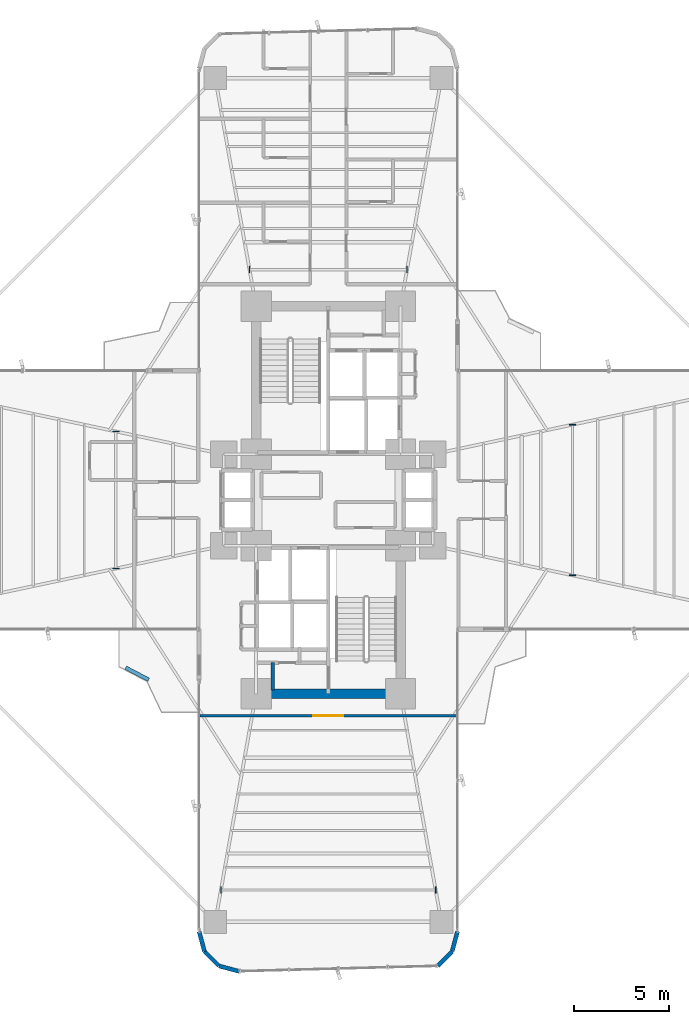
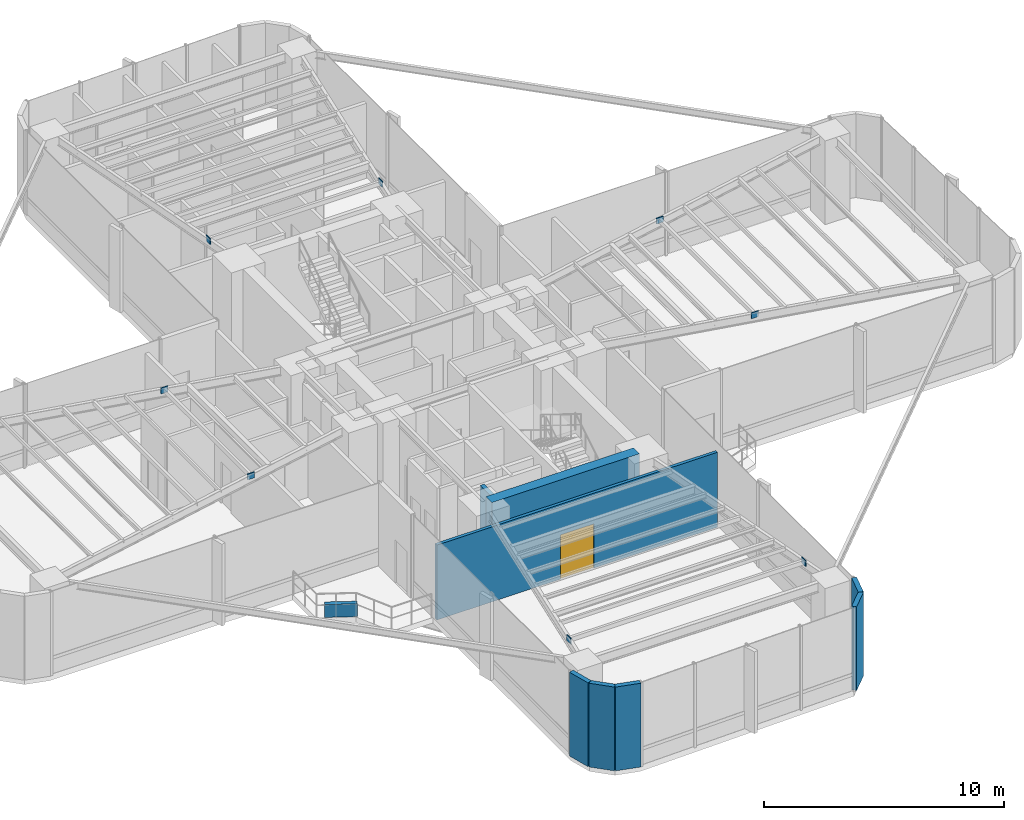
# One storey, part 15 of 20: 9 walls, 8 plates, 1 door, 1 opening.
"""IFC4 building model written with IfcOpenShell, lengths in metres."""

from ifc_helpers import new_model, si_unit, direction, frame, frame_2d, origin, origin_2d, place, context, subcontext, project, spatial, rectangle, extrude, source, transform, mapped, material, layer, layer_set, type_object, element, fill, save


model = new_model("IFC4")

# Units and contexts
model_context = context("Model", 3, precision=1e-05, world=origin(), true_north=direction((0.0, 1.0)))
body_context = subcontext(model_context, "Body", "Model", "MODEL_VIEW")
ifc_project = project(units=[si_unit("LENGTHUNIT", "METRE"), si_unit("AREAUNIT", "SQUARE_METRE"), si_unit("VOLUMEUNIT", "CUBIC_METRE"), si_unit("PLANEANGLEUNIT", "RADIAN"), si_unit("MASSUNIT", "GRAM", prefix="KILO")], contexts=[model_context])

# Site, building, storey
site_placement = place(None, origin())
site = spatial("IfcSite", under=ifc_project, at=site_placement, CompositionType="ELEMENT")
building_placement = place(site_placement, origin())
building = spatial("IfcBuilding", under=site, at=building_placement, Name="Sahyath Konkavel Grand Hotel", CompositionType="ELEMENT")
storey_placement = place(building_placement, frame((0.0, 0.0, 46.550048828125)))
storey = spatial("IfcBuildingStorey", under=building, at=storey_placement, Name="L12", CompositionType="ELEMENT", Elevation=46.550048828125)

# Plates
ifc_material_1 = material(Name="Steel E450", Category="steel")
plate_type = type_object("IfcPlateType", Name="GUSSET-END-35", PredefinedType="USERDEFINED", material=ifc_material_1)
shared_shape_1 = source(origin(), body_context, "Body", "SweptSolid", [
    extrude(rectangle(XDim=0.0400390625, YDim=0.340087890625, at=origin_2d()), origin(), (0.0, 0.0, 1.0), 0.300048828125),
])
for number, where, z_axis, x_axis, name in (
    (1, (12.847900390625, -3.9619140625, 4.0), (0.0, 0.0, 1.0), (0.0, 1.0, 0.0), "L12 Sub-Beam E-3 End Cap A"),
    (2, (12.847900390625, 3.9619140625, 4.0), (0.0, 0.0, 1.0), (0.0, 1.0, 0.0), "L12 Sub-Beam E-3 End Cap B"),
    (3, (-11.177978515625, 3.60693359375, 4.0), (0.0, 0.0, 1.0), (0.0, -1.0, 0.0), "L12 Sub-Beam W-2 End Cap A"),
    (4, (-11.177978515625, -3.60693359375, 4.0), (0.0, 0.0, 1.0), (0.0, -1.0, 0.0), "L12 Sub-Beam W-2 End Cap B"),
    (5, (4.14404296875, 12.1201171875, 4.0), (0.0, 0.0, 1.0), (-1.0, 0.0, 0.0), "L12 Sub-Beam N-1 End Cap A"),
    (6, (-4.14404296875, 12.1201171875, 4.0), (0.0, 0.0, 1.0), (-1.0, 0.0, 0.0), "L12 Sub-Beam N-1 End Cap B"),
    (7, (-5.64892578125, -20.52001953125, 4.0), (0.0, 0.0, 1.0), (1.0, 0.0, 0.0), "L12 Sub-Beam S-6 End Cap A"),
    (8, (5.64892578125, -20.52001953125, 4.0), (0.0, 0.0, 1.0), (1.0, 0.0, 0.0), "L12 Sub-Beam S-6 End Cap B"),
):
    element("IfcPlate", number, at=place(storey_placement, frame(where, z_axis=z_axis, x_axis=x_axis)), inside=storey, type_object=plate_type, Name=name, ObjectType="GUSSET_PLATE", PredefinedType="USERDEFINED", context=body_context, shape_type="MappedRepresentation", body=[
        mapped(shared_shape_1, transform((0.0, 0.0, 0.0), scale=1.0)),
    ])

# Walls
ifc_material_2 = material(Name="Concrete C70/85", Category="concrete")
ifc_layer_1 = layer(ifc_material_2, 0.5)
ifc_layer_set_1 = layer_set([ifc_layer_1], Name="Concrete C70/85")
wall_type_1 = type_object("IfcWallType", Name="CWALL-500", PredefinedType="SHEAR", material=ifc_layer_set_1)
wall_1_placement = place(storey_placement, frame((-3.550048828125, -10.199951171875, 0.0), z_axis=(0.0, 0.0, 1.0), x_axis=(1.0, 0.0, 0.0)))
element("IfcWall", 9, at=wall_1_placement, inside=storey, type_object=wall_type_1, Name="L12 South Core Shear Wall S", PredefinedType="SHEAR", context=body_context, shape_type="SweptSolid", body=[
    extrude(rectangle(XDim=7.10009765625, YDim=0.5, at=frame_2d((3.550048828125, 0.0))), origin(), (0.0, 0.0, 1.0), 4.260009765625),
])
ifc_material_3 = material(Name="Warm Buff Sandstone Insulated Concrete C40/50", Category="masonry")
ifc_layer_2 = layer(ifc_material_3, 0.219970703125)
ifc_layer_set_2 = layer_set([ifc_layer_2], Name="Warm Buff Sandstone Insulated Concrete C40/50")
wall_type_2 = type_object("IfcWallType", Name="WLL-BALC-THRESH", PredefinedType="STANDARD", material=ifc_layer_set_2)
for number, where, z_axis, x_axis, name in (
    (10, (-6.800048828125, -22.699951171875, 0.0), (0.0, 0.0, 1.0), (0.25872485917, -0.965951058412, 0.0), "L12 Rounded Corner Sandstone Pier 25"),
    (11, (-6.518798828125, -23.75, 0.0), (0.0, 0.0, 1.0), (0.707106781187, -0.707106781187, 0.0), "L12 Rounded Corner Sandstone Pier 26"),
    (12, (-5.75, -24.518798828125, 0.0), (0.0, 0.0, 1.0), (0.965951058412, -0.25872485917, 0.0), "L12 Rounded Corner Sandstone Pier 27"),
    (13, (5.75, -24.518798828125, 0.0), (0.0, 0.0, 1.0), (0.707106781187, 0.707106781187, 0.0), "L12 Rounded Corner Sandstone Pier 29"),
    (14, (6.518798828125, -23.75, 0.0), (0.0, 0.0, 1.0), (0.25872485917, 0.965951058412, 0.0), "L12 Rounded Corner Sandstone Pier 30"),
):
    element("IfcWall", number, at=place(storey_placement, frame(where, z_axis=z_axis, x_axis=x_axis)), inside=storey, type_object=wall_type_2, Name=name, PredefinedType="STANDARD", context=body_context, shape_type="SweptSolid", body=[
        extrude(rectangle(XDim=1.087158203125, YDim=0.219970703125, at=frame_2d((0.54345703125, 0.0))), origin(), (0.0, 0.0, 1.0), 4.260009765625),
    ])
ifc_material_4 = material(Name="Concrete C40/50", Category="concrete")
ifc_layer_3 = layer(ifc_material_4, 0.199951171875)
ifc_layer_set_3 = layer_set([ifc_layer_3], Name="Concrete C40/50")
wall_type_3 = type_object("IfcWallType", Name="WLL-CORE-200", PredefinedType="SOLIDWALL", material=ifc_layer_set_3)
wall_2_placement = place(storey_placement, frame((-2.919921875, -10.0, 0.0), z_axis=(0.0, 0.0, 1.0), x_axis=(0.0, 1.0, 0.0)))
element("IfcWall", 15, at=wall_2_placement, inside=storey, type_object=wall_type_3, Name="L12 Partition SFF-W2", PredefinedType="SOLIDWALL", context=body_context, shape_type="SweptSolid", body=[
    extrude(rectangle(XDim=1.43994140625, YDim=0.199951171875, at=frame_2d((0.719970703125, 0.0))), origin(), (0.0, 0.0, 1.0), 3.81005859375),
])

# Wall, opening, door
ifc_material_5 = material(Name="Fire-Rated Gypsum Plasterboard Partition")
ifc_layer_4 = layer(ifc_material_5, 0.14990234375)
ifc_layer_set_4 = layer_set([ifc_layer_4], Name="Fire-Rated Gypsum Plasterboard Partition")
wall_type_4 = type_object("IfcWallType", Name="WLL-PART-150", PredefinedType="PARTITIONING", material=ifc_layer_set_4)
wall_3_placement = place(storey_placement, frame((-6.75, -11.35009765625, 0.0), z_axis=(0.0, 0.0, 1.0), x_axis=(1.0, 0.0, 0.0)))
wall_3 = element("IfcWall", 16, at=wall_3_placement, inside=storey, type_object=wall_type_4, Name="L12 Partition S-SAL-IN", PredefinedType="PARTITIONING", context=body_context, shape_type="SweptSolid", body=[
    extrude(rectangle(XDim=13.5, YDim=0.14990234375, at=frame_2d((6.75, 0.0))), origin(), (0.0, 0.0, 1.0), 3.81005859375),
])
opening_placement = place(wall_3_placement, frame((5.949951171875, 0.0, 0.0)))
opening = element("IfcOpeningElement", 17, at=opening_placement, cuts=wall_3, Name="Opening D-DB16", PredefinedType="OPENING", context=body_context, shape_type="SweptSolid", body=[
    extrude(rectangle(XDim=1.60009765625, YDim=2.25, at=frame_2d((0.800048828125, 1.125))), frame((0.0, 0.0849609375, 0.0), z_axis=(0.0, -1.0, 0.0), x_axis=(1.0, 0.0, 0.0)), (0.0, 0.0, 1.0), 0.169921875),
])
ifc_material_6 = material(Name="Double Leaf Lounge Glazed Timber Door", Category="wood")
door_type = type_object("IfcDoorType", Name="DR-DBL-1600", OperationType="DOUBLE_DOOR_SINGLE_SWING", PredefinedType="DOOR", material=ifc_material_6)
shared_shape_2 = source(origin(), body_context, "Body", "SweptSolid", [
    extrude(rectangle(XDim=1.60009765625, YDim=0.050048828125, at=origin_2d()), origin(), (0.0, 0.0, 1.0), 2.25),
])
door_placement = place(opening_placement, frame((0.800048828125, 0.0, 0.0)))
door = element("IfcDoor", 18, at=door_placement, inside=storey, type_object=door_type, Name="L12 Door S-SAL-D", OperationType="DOUBLE_DOOR_SINGLE_SWING", OverallHeight=2.25, OverallWidth=1.60009765625, PredefinedType="DOOR", context=body_context, shape_type="MappedRepresentation", body=[
    mapped(shared_shape_2, transform((0.0, 0.0, 0.0), scale=1.0)),
])
fill(opening, door)

# Wall
ifc_material_7 = material(Name="Warm Buff Sandstone Planter Wall", Category="masonry")
ifc_layer_5 = layer(ifc_material_7, 0.199951171875)
ifc_layer_set_5 = layer_set([ifc_layer_5], Name="Warm Buff Sandstone Planter Wall")
wall_type_5 = type_object("IfcWallType", Name="WLL-PLANTER-200", PredefinedType="PARAPET", material=ifc_layer_set_5)
wall_4_placement = place(storey_placement, frame((-10.658203125, -8.828125, 0.0), z_axis=(0.0, 0.0, 1.0), x_axis=(0.886258866685, -0.463190264602, 0.0)))
element("IfcWall", 19, at=wall_4_placement, inside=storey, type_object=wall_type_5, Name="L12 Sky-Garden Stone Planter PLANTER SW", PredefinedType="PARAPET", context=body_context, shape_type="SweptSolid", body=[
    extrude(rectangle(XDim=1.363037109375, YDim=0.199951171875, at=frame_2d((0.681640625, 0.0))), origin(), (0.0, 0.0, 1.0), 0.64990234375),
])

save(model, "model.ifc")
